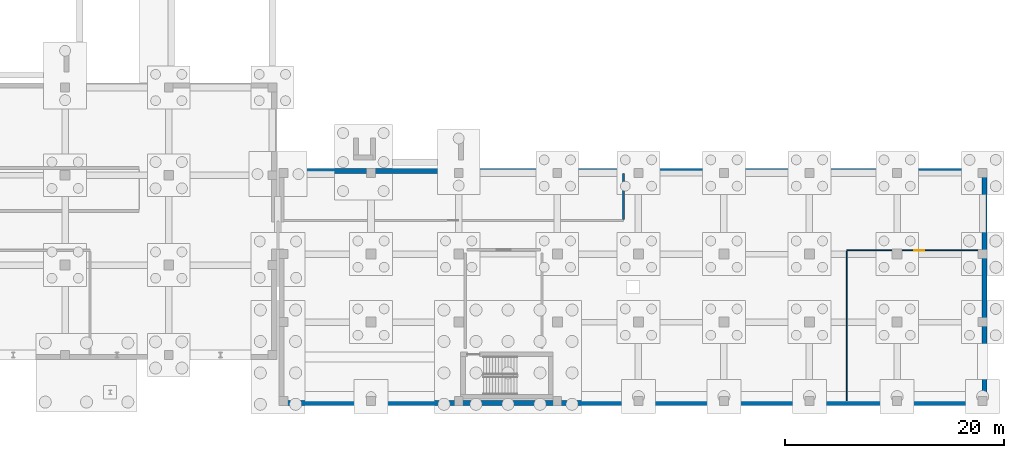
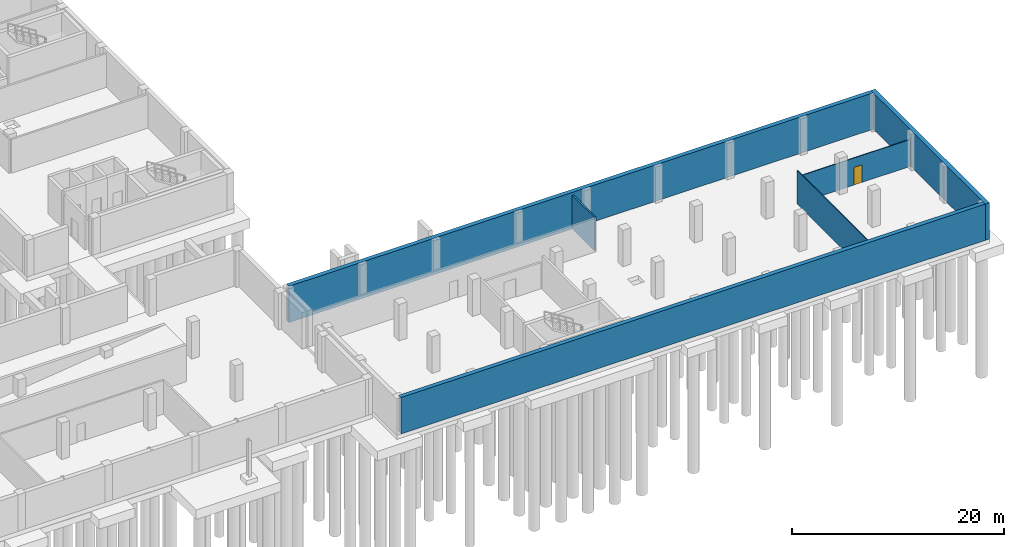
# One storey, part 23 of 31: 6 walls, 1 door, 1 opening.
"""IFC4 building model written with IfcOpenShell, lengths in metres."""

from ifc_helpers import new_model, si_unit, direction, frame, frame_2d, origin, place, context, subcontext, project, spatial, rectangle, extrude, material, layer, layer_set, type_object, element, fill, save


model = new_model("IFC4")

# Units and contexts
model_context = context("Model", 3, precision=1e-05, world=origin(), true_north=direction((0.0, 1.0)))
body_context = subcontext(model_context, "Body", "Model", "MODEL_VIEW")
ifc_project = project(units=[si_unit("LENGTHUNIT", "METRE"), si_unit("AREAUNIT", "SQUARE_METRE"), si_unit("VOLUMEUNIT", "CUBIC_METRE"), si_unit("PLANEANGLEUNIT", "RADIAN"), si_unit("MASSUNIT", "GRAM", prefix="KILO")], contexts=[model_context])

# Site, building, storey
site_placement = place(None, origin())
site = spatial("IfcSite", under=ifc_project, at=site_placement, CompositionType="ELEMENT")
building_placement = place(site_placement, origin())
building = spatial("IfcBuilding", under=site, at=building_placement, Name="Qalavern Law Courts", CompositionType="ELEMENT")
storey_placement = place(building_placement, frame((0.0, 0.0, -8.39990234375)))
storey = spatial("IfcBuildingStorey", under=building, at=storey_placement, Name="B2", CompositionType="ELEMENT", Elevation=-8.39990234375)

# Walls
ifc_material_1 = material(Name="Concrete C35/45", Category="concrete")
ifc_layer_1 = layer(ifc_material_1, 0.4599609375)
ifc_layer_set_1 = layer_set([ifc_layer_1], Name="Concrete C35/45")
wall_type_1 = type_object("IfcWallType", Name="ENV-EW-RET460", PredefinedType="SOLIDWALL", material=ifc_layer_set_1)
wall_1_placement = place(storey_placement, frame((101.875, 1.22998046875, 0.0), z_axis=(0.0, 0.0, 1.0), x_axis=(1.0, 0.0, 0.0)))
element("IfcWall", 1, at=wall_1_placement, inside=storey, type_object=wall_type_1, Name="V6 basement retaining wall B2 south", PredefinedType="SOLIDWALL", context=body_context, shape_type="SweptSolid", body=[
    extrude(rectangle(XDim=63.669921875, YDim=0.4599609375, at=frame_2d((31.8349609375, 0.0))), origin(), (0.0, 0.0, 1.0), 4.199951171875),
])
wall_2_placement = place(storey_placement, frame((165.77001953125, 1.0, 0.0), z_axis=(0.0, 0.0, 1.0), x_axis=(0.0, 1.0, 0.0)))
element("IfcWall", 2, at=wall_2_placement, inside=storey, type_object=wall_type_1, Name="V6 basement retaining wall B2 east", PredefinedType="SOLIDWALL", context=body_context, shape_type="SweptSolid", body=[
    extrude(rectangle(XDim=21.60009765625, YDim=0.4599609375, at=frame_2d((10.800048828125, 0.0))), origin(), (0.0, 0.0, 1.0), 4.199951171875),
])
wall_3_placement = place(storey_placement, frame((165.544921875, 22.3701171875, 0.0), z_axis=(0.0, 0.0, 1.0), x_axis=(-1.0, 0.0, 0.0)))
element("IfcWall", 3, at=wall_3_placement, inside=storey, type_object=wall_type_1, Name="V6 basement retaining wall B2 north", PredefinedType="SOLIDWALL", context=body_context, shape_type="SweptSolid", body=[
    extrude(rectangle(XDim=63.669921875, YDim=0.4599609375, at=frame_2d((31.8349609375, 0.0))), origin(), (0.0, 0.0, 1.0), 4.199951171875),
])

# Wall, opening, door
ifc_material_2 = material(Name="Gypsum shaft/chase partition")
ifc_layer_2 = layer(ifc_material_2, 0.092041015625)
ifc_layer_set_2 = layer_set([ifc_layer_2], Name="Gypsum shaft/chase partition")
wall_type_2 = type_object("IfcWallType", Name="INT-PW-092", PredefinedType="PARTITIONING", material=ifc_layer_set_2)
wall_4_placement = place(storey_placement, frame((153.212890625, 15.139892578125, 0.0), z_axis=(0.0, 0.0, 1.0), x_axis=(1.0, 0.0, 0.0)))
wall_4 = element("IfcWall", 4, at=wall_4_placement, inside=storey, type_object=wall_type_2, Name="Ventilation AHU Plant corridor partition B2", PredefinedType="PARTITIONING", context=body_context, shape_type="SweptSolid", body=[
    extrude(rectangle(XDim=12.4072265625, YDim=0.092041015625, at=frame_2d((6.20361328125, 0.0))), origin(), (0.0, 0.0, 1.0), 3.10986328125),
])
opening_placement = place(wall_4_placement, frame((6.1484375, 0.0, 0.0)))
opening = element("IfcOpeningElement", 5, at=opening_placement, cuts=wall_4, Name="Opening B2-D411", PredefinedType="OPENING", context=body_context, shape_type="SweptSolid", body=[
    extrude(rectangle(XDim=0.909912109375, YDim=2.0400390625, at=frame_2d((0.455078125, 1.02001953125))), frame((0.0, 0.06103515625, 0.0), z_axis=(0.0, -1.0, 0.0), x_axis=(1.0, 0.0, 0.0)), (0.0, 0.0, 1.0), 0.121826171875),
])
ifc_material_3 = material(Name="Steel MEP Plant Room door", Category="steel")
door_type = type_object("IfcDoorType", Name="INT-ID-910x2040", OperationType="NOTDEFINED", PredefinedType="DOOR", material=ifc_material_3)
door_placement = place(opening_placement, frame((0.909912109375, 0.0, 0.0), z_axis=(0.0, 0.0, 1.0), x_axis=(-1.0, 0.0, 0.0)))
door = element("IfcDoor", 6, at=door_placement, inside=storey, type_object=door_type, Name="Ventilation AHU Plant door B2", OperationType="SINGLE_SWING_RIGHT", OverallHeight=2.0400390625, OverallWidth=0.909912109375, PredefinedType="DOOR", context=body_context, shape_type="SweptSolid", body=[
    extrude(rectangle(XDim=0.909912109375, YDim=2.0400390625, at=frame_2d((0.455078125, 1.02001953125))), frame((0.0, 0.02490234375, 0.0), z_axis=(0.0, -1.0, 0.0), x_axis=(1.0, 0.0, 0.0)), (0.0, 0.0, 1.0), 0.050048828125),
])
fill(opening, door)

# Walls
wall_5_placement = place(storey_placement, frame((153.212890625, 1.43994140625, 0.0), z_axis=(0.0, 0.0, 1.0), x_axis=(0.0, 1.0, 0.0)))
element("IfcWall", 7, at=wall_5_placement, inside=storey, type_object=wall_type_2, Name="Ventilation AHU Plant cross partition B2 west", PredefinedType="PARTITIONING", context=body_context, shape_type="SweptSolid", body=[
    extrude(rectangle(XDim=13.634033203125, YDim=0.092041015625, at=frame_2d((6.81689453125, 0.0))), origin(), (0.0, 0.0, 1.0), 3.8798828125),
])
ifc_material_4 = material(Name="Gypsum acoustic stud partition")
ifc_layer_3 = layer(ifc_material_4, 0.18603515625)
ifc_layer_set_3 = layer_set([ifc_layer_3], Name="Gypsum acoustic stud partition")
wall_type_3 = type_object("IfcWallType", Name="INT-PW-186", PredefinedType="PARTITIONING", material=ifc_layer_set_3)
wall_6_placement = place(storey_placement, frame((132.824951171875, 17.972900390625, 0.0), z_axis=(0.0, 0.0, 1.0), x_axis=(0.0, 1.0, 0.0)))
element("IfcWall", 8, at=wall_6_placement, inside=storey, type_object=wall_type_3, Name="Ventilation AHU Plant cross partition B2 east", PredefinedType="PARTITIONING", context=body_context, shape_type="SweptSolid", body=[
    extrude(rectangle(XDim=4.18701171875, YDim=0.18603515625, at=frame_2d((2.093505859375, 0.0))), origin(), (0.0, 0.0, 1.0), 3.8798828125),
])

save(model, "model.ifc")
